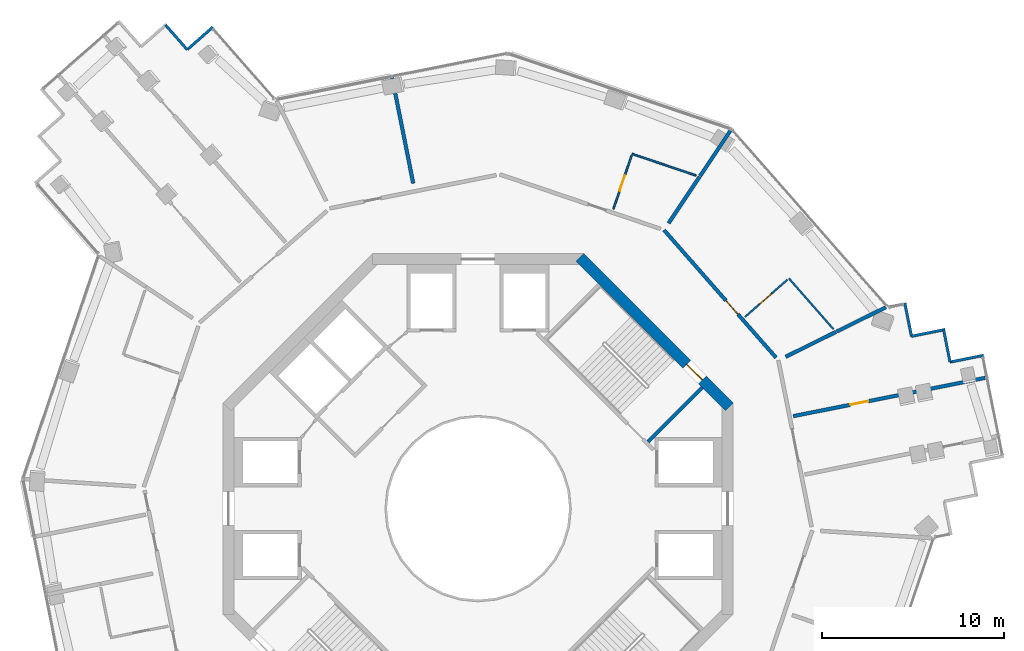
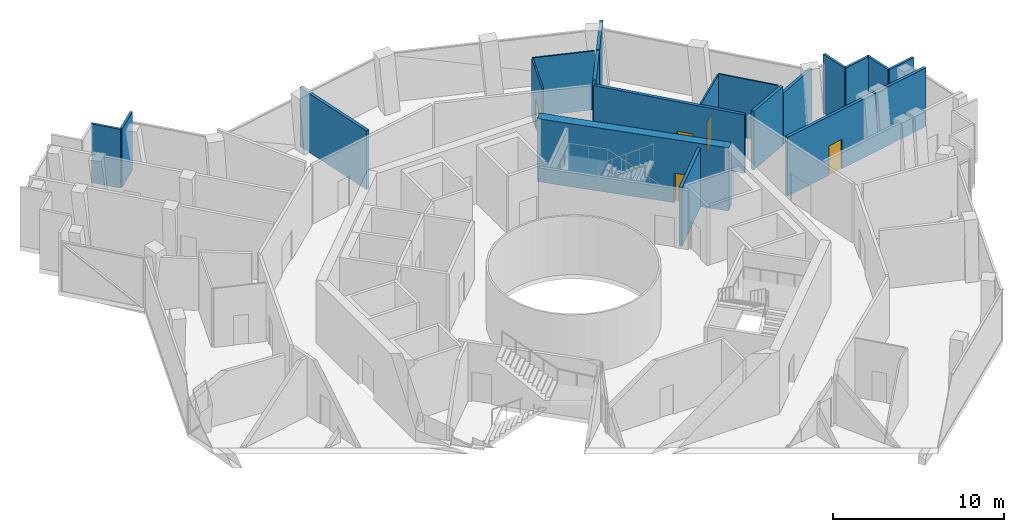
# One storey, part 14 of 17: 19 walls, 5 doors, 5 openings.
"""IFC4 building model written with IfcOpenShell, lengths in metres."""

from ifc_helpers import new_model, si_unit, direction, frame, frame_2d, origin, place, context, subcontext, project, spatial, rectangle, extrude, material, layer, layer_set, type_object, element, fill, save


model = new_model("IFC4")

# Units and contexts
model_context = context("Model", 3, precision=1e-05, world=origin(), true_north=direction((0.0, 1.0)))
body_context = subcontext(model_context, "Body", "Model", "MODEL_VIEW")
ifc_project = project(units=[si_unit("LENGTHUNIT", "METRE"), si_unit("AREAUNIT", "SQUARE_METRE"), si_unit("VOLUMEUNIT", "CUBIC_METRE"), si_unit("PLANEANGLEUNIT", "RADIAN"), si_unit("MASSUNIT", "GRAM", prefix="KILO")], contexts=[model_context])

# Site, building, storey
site_placement = place(None, origin())
site = spatial("IfcSite", under=ifc_project, at=site_placement, CompositionType="ELEMENT")
building_placement = place(site_placement, origin())
building = spatial("IfcBuilding", under=site, at=building_placement, Name="Verdalira Terraces Hotel", CompositionType="ELEMENT")
storey_placement = place(building_placement, frame((0.0, 0.0, 201.0)))
storey = spatial("IfcBuildingStorey", under=building, at=storey_placement, Name="L49", CompositionType="ELEMENT", Elevation=201.0)

# Wall, opening, door
ifc_material_1 = material(Name="Moisture-resistant gypsum board partition")
ifc_layer_1 = layer(ifc_material_1, 0.10009765625)
ifc_layer_set_1 = layer_set([ifc_layer_1], Name="Bathroom partition 100 mm")
wall_type_1 = type_object("IfcWallType", Name="Bathroom partition 100 mm", PredefinedType="PARTITIONING", material=ifc_layer_set_1)
wall_1_placement = place(storey_placement, frame((8.423828, 19.379883, 0.0), z_axis=(0.0, 0.0, 1.0), x_axis=(-0.320949479, -0.947096316, 0.0)))
wall_1 = element("IfcWall", 1, at=wall_1_placement, inside=storey, type_object=wall_type_1, Name="Bathroom partition", PredefinedType="PARTITIONING", context=body_context, shape_type="SweptSolid", body=[
    extrude(rectangle(XDim=3.099854, YDim=0.100098, at=frame_2d((1.549805, 0.0))), origin(), (0.0, 0.0, 1.0), 4.189941),
])
opening_1_placement = place(wall_1_placement, frame((1.149902, 0.0, 0.0)))
opening_1 = element("IfcOpeningElement", 2, at=opening_1_placement, cuts=wall_1, Name="Opening L49-121", PredefinedType="OPENING", context=body_context, shape_type="SweptSolid", body=[
    extrude(rectangle(XDim=0.899902, YDim=2.100098, at=frame_2d((0.449951, 1.050049))), frame((0.0, 0.060059, 0.0), z_axis=(0.0, -1.0, 0.0), x_axis=(1.0, 0.0, 0.0)), (0.0, 0.0, 1.0), 0.120117),
])
ifc_material_2 = material(Name="Timber door", Category="wood")
door_type_1 = type_object("IfcDoorType", Name="Bathroom door 900 x 2100", OperationType="NOTDEFINED", PredefinedType="DOOR", material=ifc_material_2)
door_1_placement = place(opening_1_placement, origin())
door_1 = element("IfcDoor", 3, at=door_1_placement, inside=storey, type_object=door_type_1, Name="Bathroom door 4910", OperationType="SINGLE_SWING_LEFT", OverallHeight=2.10009765625, OverallWidth=0.89990234375, PredefinedType="DOOR", context=body_context, shape_type="SweptSolid", body=[
    extrude(rectangle(XDim=0.899902, YDim=2.100098, at=frame_2d((0.449951, 1.050049))), frame((0.0, 0.024902, 0.0), z_axis=(0.0, -1.0, 0.0), x_axis=(1.0, 0.0, 0.0)), (0.0, 0.0, 1.0), 0.050049),
])
fill(opening_1, door_1)

# Wall
wall_2_placement = place(storey_placement, frame((8.455811, 19.474609, 0.0), z_axis=(0.0, 0.0, 1.0), x_axis=(0.947109685, -0.320910025, 0.0)))
element("IfcWall", 4, at=wall_2_placement, inside=storey, type_object=wall_type_1, Name="Bathroom partition", PredefinedType="PARTITIONING", context=body_context, shape_type="SweptSolid", body=[
    extrude(rectangle(XDim=3.704102, YDim=0.100098, at=frame_2d((1.852051, 0.0))), origin(), (0.0, 0.0, 1.0), 4.189941),
])

# Wall, opening, door
wall_3_placement = place(storey_placement, frame((16.985352, 12.571533, 0.0), z_axis=(0.0, 0.0, 1.0), x_axis=(-0.75152688, -0.65970247, 0.0)))
wall_3 = element("IfcWall", 5, at=wall_3_placement, inside=storey, type_object=wall_type_1, Name="Bathroom partition", PredefinedType="PARTITIONING", context=body_context, shape_type="SweptSolid", body=[
    extrude(rectangle(XDim=3.100098, YDim=0.100098, at=frame_2d((1.550049, 0.0))), origin(), (0.0, 0.0, 1.0), 4.189941),
])
opening_2_placement = place(wall_3_placement, frame((1.149902, 0.0, 0.0)))
opening_2 = element("IfcOpeningElement", 6, at=opening_2_placement, cuts=wall_3, Name="Opening L49-119", PredefinedType="OPENING", context=body_context, shape_type="SweptSolid", body=[
    extrude(rectangle(XDim=0.899902, YDim=2.100098, at=frame_2d((0.449951, 1.050049))), frame((0.0, 0.060059, 0.0), z_axis=(0.0, -1.0, 0.0), x_axis=(1.0, 0.0, 0.0)), (0.0, 0.0, 1.0), 0.120117),
])
door_2_placement = place(opening_2_placement, origin())
door_2 = element("IfcDoor", 7, at=door_2_placement, inside=storey, type_object=door_type_1, Name="Bathroom door 4909", OperationType="SINGLE_SWING_LEFT", OverallHeight=2.10009765625, OverallWidth=0.89990234375, PredefinedType="DOOR", context=body_context, shape_type="SweptSolid", body=[
    extrude(rectangle(XDim=0.899902, YDim=2.100098, at=frame_2d((0.449951, 1.050049))), frame((0.0, 0.024902, 0.0), z_axis=(0.0, -1.0, 0.0), x_axis=(1.0, 0.0, 0.0)), (0.0, 0.0, 1.0), 0.050049),
])
fill(opening_2, door_2)

# Walls
wall_4_placement = place(storey_placement, frame((17.060303, 12.637695, 0.0), z_axis=(0.0, 0.0, 1.0), x_axis=(0.659744893, -0.751489638, 0.0)))
element("IfcWall", 8, at=wall_4_placement, inside=storey, type_object=wall_type_1, Name="Bathroom partition", PredefinedType="PARTITIONING", context=body_context, shape_type="SweptSolid", body=[
    extrude(rectangle(XDim=3.704346, YDim=0.100098, at=frame_2d((1.852051, 0.0))), origin(), (0.0, 0.0, 1.0), 4.189941),
])
ifc_material_3 = material(Name="Concrete C50", Category="concrete")
ifc_layer_2 = layer(ifc_material_3, 0.199951171875)
ifc_layer_set_2 = layer_set([ifc_layer_2], Name="Core RC wall 200 C50")
wall_type_2 = type_object("IfcWallType", Name="Core RC wall 200 C50", PredefinedType="SOLIDWALL", material=ifc_layer_set_2)
wall_5_placement = place(storey_placement, frame((9.33374, 3.677002, 0.0), z_axis=(0.0, 0.0, 1.0), x_axis=(0.707135845, 0.707077716, 0.0)))
element("IfcWall", 9, at=wall_5_placement, inside=storey, type_object=wall_type_2, Name="L49 stair ST1 end wall 1", PredefinedType="SOLIDWALL", context=body_context, shape_type="SweptSolid", body=[
    extrude(rectangle(XDim=4.199951, YDim=0.199951, at=frame_2d((2.100098, 0.0))), origin(), (0.0, 0.0, 1.0), 4.189941),
])

# Wall, opening, door
ifc_material_4 = material(Name="Concrete C60", Category="concrete")
ifc_layer_3 = layer(ifc_material_4, 0.60009765625)
ifc_layer_set_3 = layer_set([ifc_layer_3], Name="Core wall 600 C60")
wall_type_3 = type_object("IfcWallType", Name="Core wall 600 C60", PredefinedType="SHEAR", material=ifc_layer_set_3)
wall_6_placement = place(storey_placement, frame((13.787842, 5.586914, 0.0), z_axis=(0.0, 0.0, 1.0), x_axis=(-0.707106781, 0.707106781, 0.0)))
wall_6 = element("IfcWall", 10, at=wall_6_placement, inside=storey, type_object=wall_type_3, Name="Core wall CW-L49-2", PredefinedType="SHEAR", context=body_context, shape_type="SweptSolid", body=[
    extrude(rectangle(XDim=11.5979, YDim=0.600098, at=frame_2d((5.798828, 0.0))), origin(), (0.0, 0.0, 1.0), 4.5),
])
opening_3_placement = place(wall_6_placement, frame((2.099121, 0.0, 0.0)))
opening_3 = element("IfcOpeningElement", 11, at=opening_3_placement, cuts=wall_6, Name="Opening L49-816", PredefinedType="OPENING", context=body_context, shape_type="SweptSolid", body=[
    extrude(rectangle(XDim=1.199951, YDim=2.100098, at=frame_2d((0.600098, 1.050049))), frame((0.0, 0.310059, 0.0), z_axis=(0.0, -1.0, 0.0), x_axis=(1.0, 0.0, 0.0)), (0.0, 0.0, 1.0), 0.620117),
])
ifc_material_5 = material(Name="Steel fire door", Category="steel")
door_type_2 = type_object("IfcDoorType", Name="Stair door 1200 x 2100", OperationType="NOTDEFINED", PredefinedType="DOOR", material=ifc_material_5)
door_3_placement = place(opening_3_placement, origin())
door_3 = element("IfcDoor", 12, at=door_3_placement, inside=storey, type_object=door_type_2, Name="Stair exit door ST1 L49", OperationType="SINGLE_SWING_LEFT", OverallHeight=2.10009765625, OverallWidth=1.199951171875, PredefinedType="DOOR", context=body_context, shape_type="SweptSolid", body=[
    extrude(rectangle(XDim=1.199951, YDim=2.100098, at=frame_2d((0.600098, 1.050049))), frame((0.0, 0.024902, 0.0), z_axis=(0.0, -1.0, 0.0), x_axis=(1.0, 0.0, 0.0)), (0.0, 0.0, 1.0), 0.050049),
])
fill(opening_3, door_3)

# Walls
ifc_material_6 = material(Name="Fire-rated gypsum board wall")
ifc_layer_4 = layer(ifc_material_6, 0.199951171875)
ifc_layer_set_4 = layer_set([ifc_layer_4], Name="Demising wall 200 mm")
wall_type_4 = type_object("IfcWallType", Name="Demising wall 200 mm", PredefinedType="SOLIDWALL", material=ifc_layer_set_4)
wall_7_placement = place(storey_placement, frame((10.454346, 15.663818, 0.0), z_axis=(0.0, 0.0, 1.0), x_axis=(0.555121583, 0.831769215, 0.0)))
element("IfcWall", 13, at=wall_7_placement, inside=storey, type_object=wall_type_4, Name="Demising wall", PredefinedType="SOLIDWALL", context=body_context, shape_type="SweptSolid", body=[
    extrude(rectangle(XDim=3.074707, YDim=0.199951, at=frame_2d((1.537354, 0.0))), origin(), (0.0, 0.0, 1.0), 4.189941),
])
wall_8_placement = place(storey_placement, frame((12.186768, 18.259277, 0.0), z_axis=(0.0, 0.0, 1.0), x_axis=(0.555093017, 0.83178828, 0.0)))
element("IfcWall", 14, at=wall_8_placement, inside=storey, type_object=wall_type_4, Name="Demising wall", PredefinedType="SOLIDWALL", context=body_context, shape_type="SweptSolid", body=[
    extrude(rectangle(XDim=3.011475, YDim=0.199951, at=frame_2d((1.505859, 0.0))), origin(), (0.0, 0.0, 1.0), 4.189941),
])
wall_9_placement = place(storey_placement, frame((16.885498, 8.337891, 0.0), z_axis=(0.0, 0.0, 1.0), x_axis=(0.896623517, 0.442793709, 0.0)))
element("IfcWall", 15, at=wall_9_placement, inside=storey, type_object=wall_type_4, Name="Demising wall", PredefinedType="SOLIDWALL", context=body_context, shape_type="SweptSolid", body=[
    extrude(rectangle(XDim=3.074951, YDim=0.199951, at=frame_2d((1.537598, 0.0))), origin(), (0.0, 0.0, 1.0), 4.189941),
])

# Wall, opening, door
wall_10_placement = place(storey_placement, frame((17.299805, 5.074951, 0.0), z_axis=(0.0, 0.0, 1.0), x_axis=(0.98068274, 0.195605123, 0.0)))
wall_10 = element("IfcWall", 16, at=wall_10_placement, inside=storey, type_object=wall_type_4, Name="Demising wall", PredefinedType="SOLIDWALL", context=body_context, shape_type="SweptSolid", body=[
    extrude(rectangle(XDim=10.750244, YDim=0.199951, at=frame_2d((5.375, 0.0))), origin(), (0.0, 0.0, 1.0), 4.189941),
])
opening_4_placement = place(wall_10_placement, frame((3.199951, 0.0, 0.0)))
opening_4 = element("IfcOpeningElement", 17, at=opening_4_placement, cuts=wall_10, Name="Opening L49-117", PredefinedType="OPENING", context=body_context, shape_type="SweptSolid", body=[
    extrude(rectangle(XDim=1.0, YDim=2.100098, at=frame_2d((0.5, 1.050049))), frame((0.0, 0.109863, 0.0), z_axis=(0.0, -1.0, 0.0), x_axis=(1.0, 0.0, 0.0)), (0.0, 0.0, 1.0), 0.219971),
])
ifc_material_7 = material(Name="Timber fire door", Category="wood")
door_type_3 = type_object("IfcDoorType", Name="Public room door 1000 x 2100", OperationType="NOTDEFINED", PredefinedType="DOOR", material=ifc_material_7)
door_4_placement = place(opening_4_placement, origin())
door_4 = element("IfcDoor", 18, at=door_4_placement, inside=storey, type_object=door_type_3, Name="Public room door 4908", OperationType="SINGLE_SWING_LEFT", OverallHeight=2.10009765625, OverallWidth=1.0, PredefinedType="DOOR", context=body_context, shape_type="SweptSolid", body=[
    extrude(rectangle(XDim=1.0, YDim=2.100098, at=frame_2d((0.5, 1.050049))), frame((0.0, 0.024902, 0.0), z_axis=(0.0, -1.0, 0.0), x_axis=(1.0, 0.0, 0.0)), (0.0, 0.0, 1.0), 0.050049),
])
fill(opening_4, door_4)

# Wall
ifc_material_8 = material(Name="Fire-rated gypsum board wall")
ifc_layer_5 = layer(ifc_material_8, 0.199951171875)
ifc_layer_set_5 = layer_set([ifc_layer_5], Name="Demising wall 200 mm to beam soffit")
wall_type_5 = type_object("IfcWallType", Name="Demising wall 200 mm to beam soffit", PredefinedType="SOLIDWALL", material=ifc_layer_set_5)
wall_11_placement = place(storey_placement, frame((19.683594, 9.719727, 0.0), z_axis=(0.0, 0.0, 1.0), x_axis=(0.896653576, 0.442732837, 0.0)))
element("IfcWall", 19, at=wall_11_placement, inside=storey, type_object=wall_type_5, Name="Demising wall", PredefinedType="SOLIDWALL", context=body_context, shape_type="SweptSolid", body=[
    extrude(rectangle(XDim=3.011475, YDim=0.199951, at=frame_2d((1.505859, 0.0))), origin(), (0.0, 0.0, 1.0), 3.689941),
])

# Wall, opening, door
ifc_material_9 = material(Name="Fire-rated gypsum board wall")
ifc_layer_6 = layer(ifc_material_9, 0.199951171875)
ifc_layer_set_6 = layer_set([ifc_layer_6], Name="Guest corridor wall 200 mm")
wall_type_6 = type_object("IfcWallType", Name="Guest corridor wall 200 mm", PredefinedType="SOLIDWALL", material=ifc_layer_set_6)
wall_12_placement = place(storey_placement, frame((10.206055, 15.291748, 0.0), z_axis=(0.0, 0.0, 1.0), x_axis=(0.659731878, -0.751501064, 0.0)))
wall_12 = element("IfcWall", 20, at=wall_12_placement, inside=storey, type_object=wall_type_6, Name="Guest corridor wall", PredefinedType="SOLIDWALL", context=body_context, shape_type="SweptSolid", body=[
    extrude(rectangle(XDim=9.31665, YDim=0.199951, at=frame_2d((4.658203, 0.0))), origin(), (0.0, 0.0, 1.0), 4.189941),
])
opening_5_placement = place(wall_12_placement, frame((5.149902, 0.0, 0.0)))
opening_5 = element("IfcOpeningElement", 21, at=opening_5_placement, cuts=wall_12, Name="Opening L49-118", PredefinedType="OPENING", context=body_context, shape_type="SweptSolid", body=[
    extrude(rectangle(XDim=1.0, YDim=2.100098, at=frame_2d((0.5, 1.050049))), frame((0.0, 0.109863, 0.0), z_axis=(0.0, -1.0, 0.0), x_axis=(1.0, 0.0, 0.0)), (0.0, 0.0, 1.0), 0.219971),
])
ifc_material_10 = material(Name="Timber fire door", Category="wood")
door_type_4 = type_object("IfcDoorType", Name="Guest entry door 1000 x 2100", OperationType="NOTDEFINED", PredefinedType="DOOR", material=ifc_material_10)
door_5_placement = place(opening_5_placement, origin())
door_5 = element("IfcDoor", 22, at=door_5_placement, inside=storey, type_object=door_type_4, Name="Guest entry door 4909", OperationType="SINGLE_SWING_LEFT", OverallHeight=2.10009765625, OverallWidth=1.0, PredefinedType="DOOR", context=body_context, shape_type="SweptSolid", body=[
    extrude(rectangle(XDim=1.0, YDim=2.100098, at=frame_2d((0.5, 1.050049))), frame((0.0, 0.024902, 0.0), z_axis=(0.0, -1.0, 0.0), x_axis=(1.0, 0.0, 0.0)), (0.0, 0.0, 1.0), 0.050049),
])
fill(opening_5, door_5)

# Walls
ifc_material_11 = material(Name="Fire-rated gypsum board wall")
ifc_layer_7 = layer(ifc_material_11, 0.199951171875)
ifc_layer_set_7 = layer_set([ifc_layer_7], Name="Service room wall 200 mm")
wall_type_7 = type_object("IfcWallType", Name="Service room wall 200 mm", PredefinedType="SOLIDWALL", material=ifc_layer_set_7)
wall_13_placement = place(storey_placement, frame((-4.71582, 23.642578, 0.0), z_axis=(0.0, 0.0, 1.0), x_axis=(0.195638866, -0.980676009, 0.0)))
element("IfcWall", 23, at=wall_13_placement, inside=storey, type_object=wall_type_7, Name="Service room wall", PredefinedType="SOLIDWALL", context=body_context, shape_type="SweptSolid", body=[
    extrude(rectangle(XDim=5.902588, YDim=0.199951, at=frame_2d((2.951172, 0.0))), origin(), (0.0, 0.0, 1.0), 4.189941),
])
ifc_material_12 = material(Name="Terracotta cladding", Category="masonry")
ifc_layer_8 = layer(ifc_material_12, 0.14990234375)
ifc_layer_set_8 = layer_set([ifc_layer_8], Name="Terracotta clad wall 150")
wall_type_8 = type_object("IfcWallType", Name="Terracotta clad wall 150", PredefinedType="SOLIDWALL", material=ifc_layer_set_8)
wall_14_placement = place(storey_placement, frame((-14.55835, 26.435547, 0.0), z_axis=(0.0, 0.0, 1.0), x_axis=(-0.751511072, -0.659720478, 0.0)))
element("IfcWall", 24, at=wall_14_placement, inside=storey, type_object=wall_type_8, Name="Terracotta cladding wall", PredefinedType="SOLIDWALL", context=body_context, shape_type="SweptSolid", body=[
    extrude(rectangle(XDim=1.875244, YDim=0.149902, at=frame_2d((0.9375, 0.0))), origin(), (0.0, 0.0, 1.0), 4.189941),
])
wall_15_placement = place(storey_placement, frame((-15.967529, 25.198486, 0.0), z_axis=(0.0, 0.0, 1.0), x_axis=(-0.659704035, 0.751525506, 0.0)))
element("IfcWall", 25, at=wall_15_placement, inside=storey, type_object=wall_type_8, Name="Terracotta cladding wall", PredefinedType="SOLIDWALL", context=body_context, shape_type="SweptSolid", body=[
    extrude(rectangle(XDim=1.800049, YDim=0.149902, at=frame_2d((0.899902, 0.0))), origin(), (0.0, 0.0, 1.0), 4.189941),
])
wall_16_placement = place(storey_placement, frame((27.748291, 8.415283, 0.0), z_axis=(0.0, 0.0, 1.0), x_axis=(-0.980690693, -0.195565244, 0.0)))
element("IfcWall", 26, at=wall_16_placement, inside=storey, type_object=wall_type_8, Name="Terracotta cladding wall", PredefinedType="SOLIDWALL", context=body_context, shape_type="SweptSolid", body=[
    extrude(rectangle(XDim=1.875, YDim=0.149902, at=frame_2d((0.9375, 0.0))), origin(), (0.0, 0.0, 1.0), 4.189941),
])
wall_17_placement = place(storey_placement, frame((25.909424, 8.048584, 0.0), z_axis=(0.0, 0.0, 1.0), x_axis=(-0.195594411, 0.980684876, 0.0)))
element("IfcWall", 27, at=wall_17_placement, inside=storey, type_object=wall_type_8, Name="Terracotta cladding wall", PredefinedType="SOLIDWALL", context=body_context, shape_type="SweptSolid", body=[
    extrude(rectangle(XDim=1.799805, YDim=0.149902, at=frame_2d((0.899902, 0.0))), origin(), (0.0, 0.0, 1.0), 4.189941),
])
for number, where, z_axis, x_axis, name in (
    (28, (25.630859, 9.828369, 0.0), (0.0, 0.0, 1.0), (-0.980685712, -0.195590219, 0.0), "Terracotta cladding wall"),
    (29, (23.792236, 9.46167, 0.0), (0.0, 0.0, 1.0), (-0.195590219, 0.980685712, 0.0), "Terracotta cladding wall"),
):
    element("IfcWall", number, at=place(storey_placement, frame(where, z_axis=z_axis, x_axis=x_axis)), inside=storey, type_object=wall_type_8, Name=name, PredefinedType="SOLIDWALL", context=body_context, shape_type="SweptSolid", body=[
        extrude(rectangle(XDim=1.874756, YDim=0.149902, at=frame_2d((0.9375, 0.0))), origin(), (0.0, 0.0, 1.0), 4.189941),
    ])

save(model, "model.ifc")
